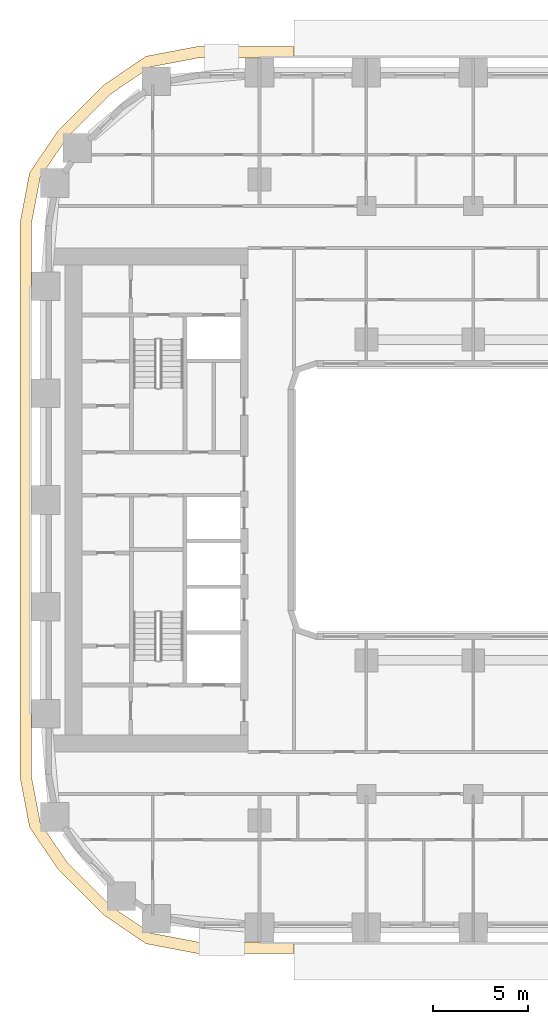
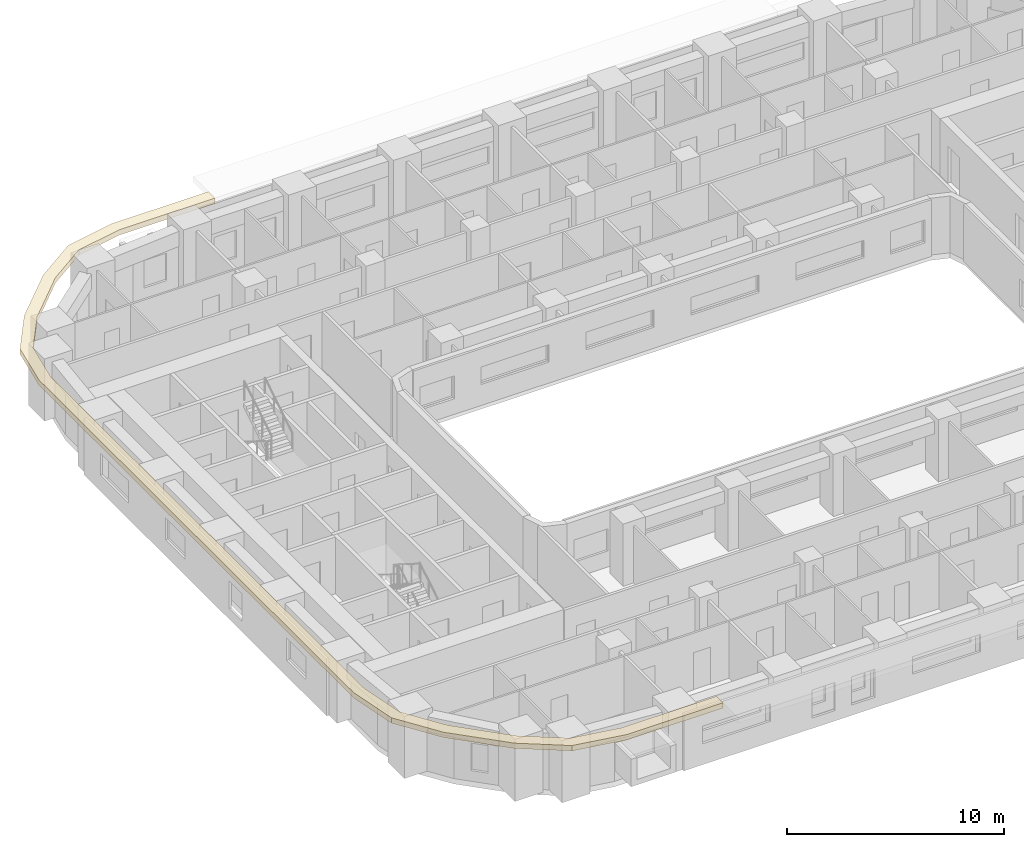
# One storey, part 14 of 22: 1 covering.
"""IFC4 building model written with IfcOpenShell, lengths in metres."""

from ifc_helpers import new_model, si_unit, direction, frame, origin, place, context, subcontext, project, spatial, polyline, outline, extrude, material, layer, layer_set, type_object, element, save


model = new_model("IFC4")

# Units and contexts
model_context = context("Model", 3, precision=1e-05, world=origin(), true_north=direction((0.0, 1.0)))
body_context = subcontext(model_context, "Body", "Model", "MODEL_VIEW")
ifc_project = project(units=[si_unit("LENGTHUNIT", "METRE"), si_unit("AREAUNIT", "SQUARE_METRE"), si_unit("VOLUMEUNIT", "CUBIC_METRE"), si_unit("PLANEANGLEUNIT", "RADIAN"), si_unit("MASSUNIT", "GRAM", prefix="KILO")], contexts=[model_context])

# Site, building, storey
site_placement = place(None, origin())
site = spatial("IfcSite", under=ifc_project, at=site_placement, CompositionType="ELEMENT")
building_placement = place(site_placement, origin())
building = spatial("IfcBuilding", under=site, at=building_placement, Name="Kiln Ring Residences", CompositionType="ELEMENT")
storey_placement = place(building_placement, frame((0.0, 0.0, 44.5)))
storey = spatial("IfcBuildingStorey", under=building, at=storey_placement, Name="L10", CompositionType="ELEMENT", Elevation=44.5)

# Covering
ifc_material = material(Name="Black powder-coated steel", Category="steel")
ifc_layer = layer(ifc_material, 0.300048828125)
ifc_layer_set = layer_set([ifc_layer], Name="SUNSHADE FIN 600")
covering_type = type_object("IfcCoveringType", Name="SUNSHADE FIN 600", PredefinedType="CLADDING", material=ifc_layer_set)
covering_placement = place(storey_placement, frame((0.0, 0.0, 3.199951171875)))
element("IfcCovering", 1, at=covering_placement, inside=storey, type_object=covering_type, Name="SUNSHADE FIN L10", PredefinedType="CLADDING", context=body_context, shape_type="SweptSolid", body=[
    extrude(outline(polyline([(-29.35009765625, -14.527587890625), (-28.849365234375, -17.15185546875), (-27.347900390625, -19.361328125), (-24.96142578125, -21.747802734375), (-22.751953125, -23.24951171875), (-20.127685546875, -23.75), (-15.0, -23.75), (-15.0, -23.14990234375), (-20.07080078125, -23.14990234375), (-22.517333984375, -22.683349609375), (-24.577392578125, -21.283447265625), (-26.88330078125, -18.977294921875), (-28.283447265625, -16.91748046875), (-28.75, -14.470947265625), (-28.75, 14.470947265625), (-28.283447265625, 16.91748046875), (-26.88330078125, 18.977294921875), (-24.577392578125, 21.283447265625), (-22.517333984375, 22.683349609375), (-20.07080078125, 23.14990234375), (-15.0, 23.14990234375), (-15.0, 23.75), (-20.127685546875, 23.75), (-22.751953125, 23.24951171875), (-24.96142578125, 21.747802734375), (-27.347900390625, 19.361328125), (-28.849365234375, 17.15185546875), (-29.35009765625, 14.527587890625), (-29.35009765625, -14.527587890625)])), origin(), (0.0, 0.0, 1.0), 0.300048828125),
])

save(model, "model.ifc")
